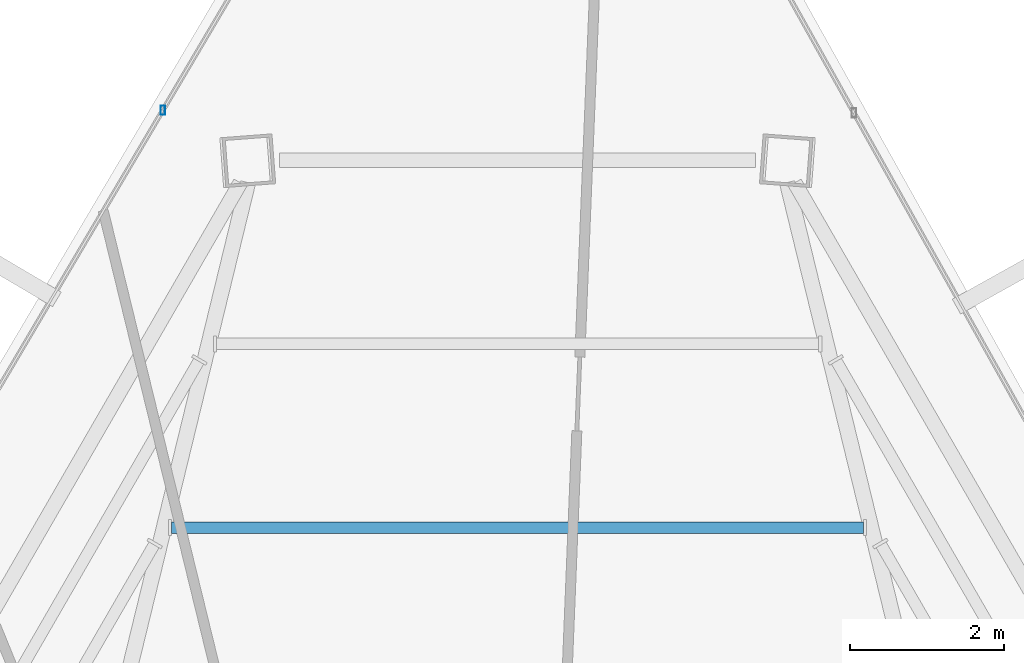
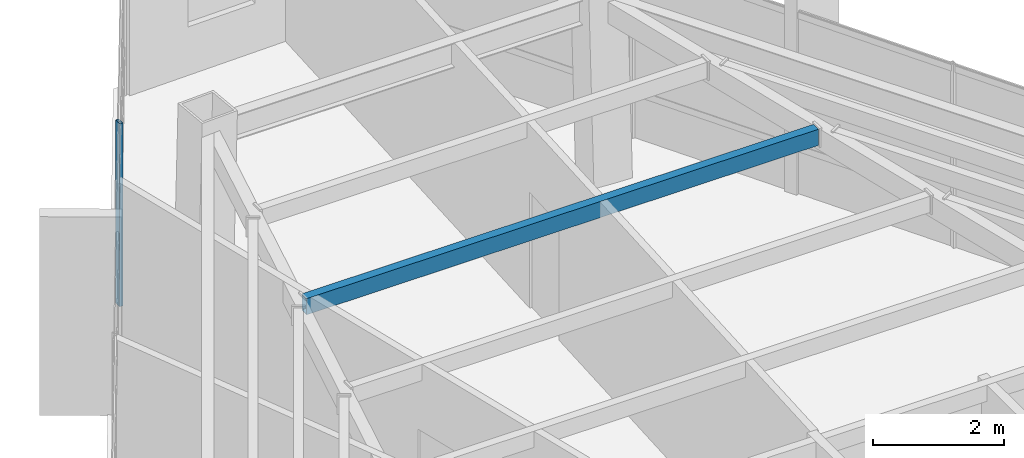
# One storey, part 34 of 48: 1 beam, 1 member, 1 element without a shape of its own.
"""IFC4 building model written with IfcOpenShell, lengths in metres."""

from ifc_helpers import new_model, si_unit, direction, frame, origin, origin_2d, place, context, subcontext, project, spatial, hollow_rectangle, extrude, source, transform, mapped, material, material_profile, profile_set, type_object, type_shapes, element, aggregate, save


model = new_model("IFC4")

# Units and contexts
model_context = context("Model", 3, precision=1e-05, world=origin(), true_north=direction((0.0, 1.0)))
body_context = subcontext(model_context, "Body", "Model", "MODEL_VIEW")
ifc_project = project(units=[si_unit("LENGTHUNIT", "METRE"), si_unit("AREAUNIT", "SQUARE_METRE"), si_unit("VOLUMEUNIT", "CUBIC_METRE"), si_unit("PLANEANGLEUNIT", "RADIAN"), si_unit("MASSUNIT", "GRAM", prefix="KILO")], contexts=[model_context])

# Site, building, storey
site_placement = place(None, origin())
site = spatial("IfcSite", under=ifc_project, at=site_placement, CompositionType="ELEMENT")
building_placement = place(site_placement, origin())
building = spatial("IfcBuilding", under=site, at=building_placement, Name="Caelisora Broadcast Tower", CompositionType="ELEMENT")
storey_placement = place(building_placement, frame((0.0, 0.0, 270.0)))
storey = spatial("IfcBuildingStorey", under=building, at=storey_placement, Name="L71", CompositionType="ELEMENT", Elevation=270.0)

# Beam
ifc_material_1 = material(Name="Steel Grade 350 (AS/NZS 1163 C350L0)", Category="steel")
ifc_material_profile_1 = material_profile(ifc_material_1, hollow_rectangle(XDim=0.14990234375, YDim=0.300048828125, WallThickness=0.010009765625, at=origin_2d()), Name="Steel Grade 350 (AS/NZS 1163 C350L0)")
ifc_profile_set_1 = profile_set([ifc_material_profile_1], Name="Steel Grade 350 (AS/NZS 1163 C350L0)")
beam_type = type_object("IfcBeamType", Name="SB05", PredefinedType="JOIST", material=ifc_profile_set_1)
shared_shape_1 = source(origin(), body_context, "Body", "SweptSolid", [
    extrude(hollow_rectangle(XDim=0.14990234375, YDim=0.300048828125, WallThickness=0.010009765625, at=origin_2d()), origin(), (0.0, 0.0, 1.0), 8.9912109375),
])
type_shapes(beam_type, [shared_shape_1])
beam_placement = place(storey_placement, frame((42.49560546875, 41.93212890625, 3.25), z_axis=(-1.0, 0.0, 0.0), x_axis=(0.0, -1.0, 0.0)))
element("IfcBeam", 1, at=beam_placement, inside=storey, type_object=beam_type, Name="L71 beam SB05", PredefinedType="JOIST", context=body_context, shape_type="MappedRepresentation", body=[
    mapped(shared_shape_1, transform((0.0, 0.0, 0.0), scale=1.0)),
])

# Curtain wall, member
ifc_material_2 = material(Name="Unitised Aluminium and Low-E Glass Curtain Wall", Category="glass")
curtain_wall_type = type_object("IfcCurtainWallType", Name="CW-Z5", PredefinedType="NOTDEFINED", material=ifc_material_2)
curtain_wall_placement = place(storey_placement, origin())
curtain_wall = element("IfcCurtainWall", 2, at=curtain_wall_placement, inside=storey, type_object=curtain_wall_type, Name="L71 curtain wall CW-Z5", PredefinedType="NOTDEFINED")
ifc_material_3 = material(Name="Aluminium 6063-T6 Anodised Terracotta Bronze", Category="aluminium")
ifc_material_profile_2 = material_profile(ifc_material_3, hollow_rectangle(XDim=0.06005859375, YDim=0.1201171875, WallThickness=0.0029296875, at=origin_2d()), Name="Aluminium 6063-T6 Anodised Terracotta Bronze")
ifc_profile_set_2 = profile_set([ifc_material_profile_2], Name="Aluminium 6063-T6 Anodised Terracotta Bronze")
member_type = type_object("IfcMemberType", Name="CWM-04", PredefinedType="MULLION", material=ifc_profile_set_2)
shared_shape_2 = source(origin(), body_context, "Body", "SweptSolid", [
    extrude(hollow_rectangle(XDim=0.06005859375, YDim=0.1201171875, WallThickness=0.0029296875, at=origin_2d()), origin(), (0.0, 0.0, 1.0), 3.39990234375),
])
type_shapes(member_type, [shared_shape_2])
member_placement = place(storey_placement, frame((33.389892578125, 47.35693359375, 0.0), z_axis=(0.0, 0.0, 1.0), x_axis=(1.0, 0.0, 0.0)))
member = element("IfcMember", 3, at=member_placement, type_object=member_type, Name="L71-CW-B11 mullion #2", PredefinedType="MULLION", context=body_context, shape_type="MappedRepresentation", body=[
    mapped(shared_shape_2, transform((0.0, 0.0, 0.0), scale=1.0)),
])
aggregate(curtain_wall, [member])

save(model, "model.ifc")
